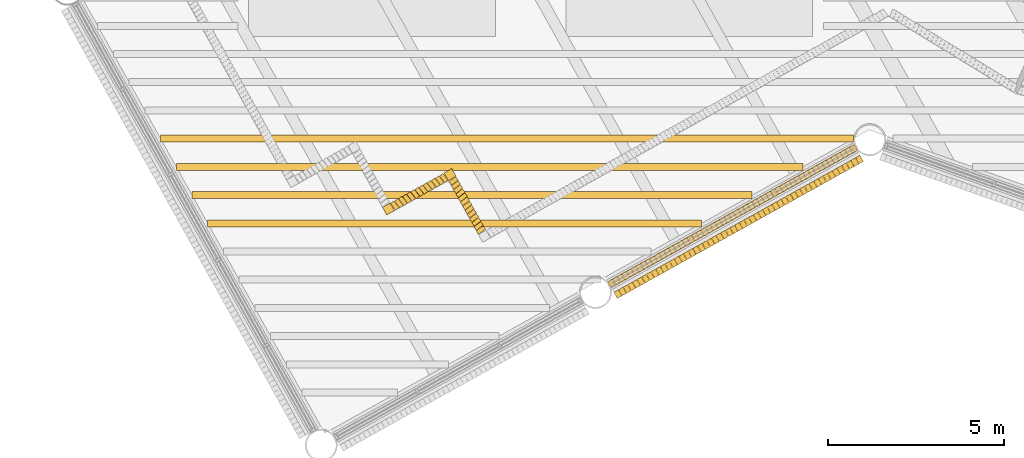
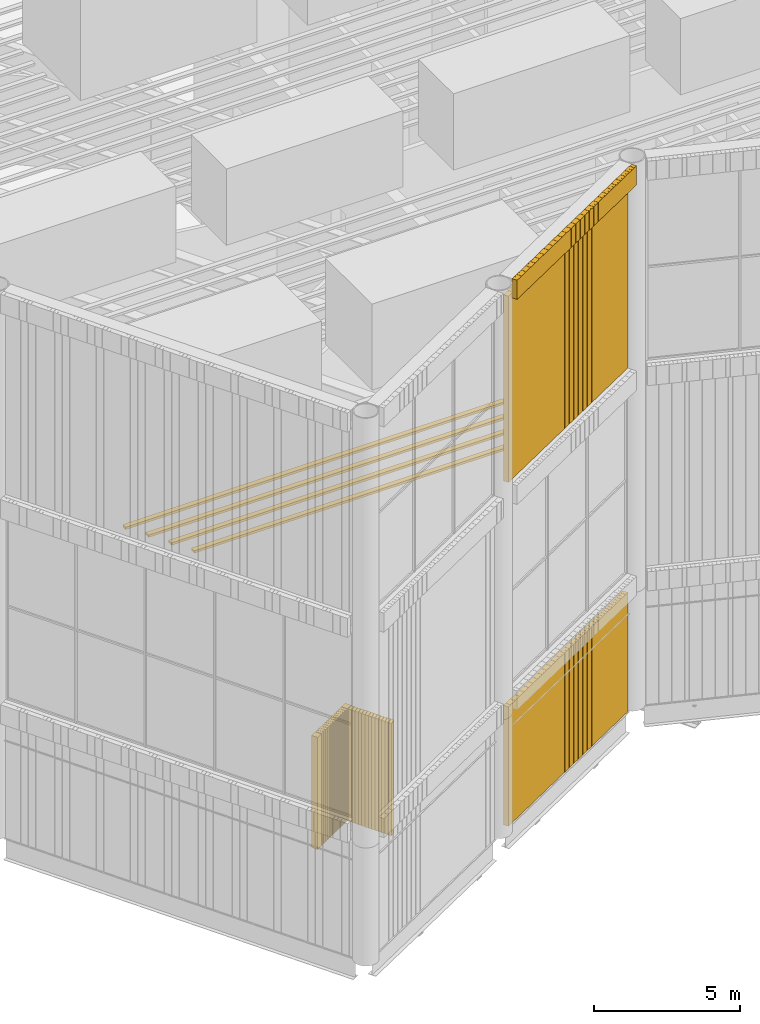
# One storey, part 88 of 117: 8 shading devices, 3 coverings.
"""IFC4 building model written with IfcOpenShell, lengths in metres."""

from ifc_helpers import new_model, si_unit, direction, frame, frame_2d, origin, origin_2d, place, context, subcontext, project, spatial, rectangle, composite_profile, extrude, material, type_object, element, save


model = new_model("IFC4")

# Units and contexts
model_context = context("Model", 3, precision=1e-05, world=origin(), true_north=direction((0.0, 1.0)))
body_context = subcontext(model_context, "Body", "Model", "MODEL_VIEW")
ifc_project = project(units=[si_unit("LENGTHUNIT", "METRE"), si_unit("AREAUNIT", "SQUARE_METRE"), si_unit("VOLUMEUNIT", "CUBIC_METRE"), si_unit("PLANEANGLEUNIT", "RADIAN"), si_unit("MASSUNIT", "GRAM", prefix="KILO")], contexts=[model_context])

# Site, building, storey
site_placement = place(None, origin())
site = spatial("IfcSite", under=ifc_project, at=site_placement, CompositionType="ELEMENT")
building_placement = place(site_placement, origin())
building = spatial("IfcBuilding", under=site, at=building_placement, Name="Tarsis Ring Headquarters", CompositionType="ELEMENT")
storey_placement = place(building_placement, frame((0.0, 0.0, 403.60009765625)))
storey = spatial("IfcBuildingStorey", under=building, at=storey_placement, Name="L95", CompositionType="ELEMENT", Elevation=403.60009765625)

# Coverings
ifc_material_1 = material(Name="Terracotta louvre", Category="masonry")
covering_type = type_object("IfcCoveringType", Name="Crown louvre fin", PredefinedType="CLADDING", material=ifc_material_1)
covering_1_placement = place(storey_placement, frame((-22.01171875, -29.202880859375, 0.0), z_axis=(0.0, 0.0, 1.0), x_axis=(0.873594132029, 0.486644254279, 0.0)))
element("IfcCovering", 1, at=covering_1_placement, inside=storey, type_object=covering_type, Name="Crown louvre base 19", PredefinedType="CLADDING", context=body_context, shape_type="SweptSolid", body=[
    extrude(composite_profile([rectangle(XDim=0.14501953125, YDim=0.199951171875, at=frame_2d((0.072509765625, 0.0))), rectangle(XDim=0.14501953125, YDim=0.199951171875, at=frame_2d((0.223388671875, 0.0))), rectangle(XDim=0.14501953125, YDim=0.199951171875, at=frame_2d((0.374267578125, 0.0))), rectangle(XDim=0.14501953125, YDim=0.199951171875, at=frame_2d((0.52490234375, 0.0))), rectangle(XDim=0.14501953125, YDim=0.199951171875, at=frame_2d((0.67578125, 0.0))), rectangle(XDim=0.14501953125, YDim=0.199951171875, at=frame_2d((0.82666015625, 0.0))), rectangle(XDim=0.14501953125, YDim=0.199951171875, at=frame_2d((0.9775390625, 0.0))), rectangle(XDim=0.14501953125, YDim=0.199951171875, at=frame_2d((1.12841796875, 0.0))), rectangle(XDim=0.14501953125, YDim=0.199951171875, at=frame_2d((1.279052734375, 0.0))), rectangle(XDim=0.14501953125, YDim=0.199951171875, at=frame_2d((1.429931640625, 0.0))), rectangle(XDim=0.14501953125, YDim=0.199951171875, at=frame_2d((1.580810546875, 0.0))), rectangle(XDim=0.14501953125, YDim=0.199951171875, at=frame_2d((1.731689453125, 0.0))), rectangle(XDim=0.14501953125, YDim=0.199951171875, at=frame_2d((1.882568359375, 0.0))), rectangle(XDim=0.14501953125, YDim=0.199951171875, at=frame_2d((2.033203125, 0.0))), rectangle(XDim=0.14501953125, YDim=0.199951171875, at=frame_2d((2.18408203125, 0.0))), rectangle(XDim=0.14501953125, YDim=0.199951171875, at=frame_2d((2.3349609375, 0.0))), rectangle(XDim=0.14501953125, YDim=0.199951171875, at=frame_2d((2.48583984375, 0.0))), rectangle(XDim=0.14501953125, YDim=0.199951171875, at=frame_2d((2.63671875, 0.0))), rectangle(XDim=0.14501953125, YDim=0.199951171875, at=frame_2d((2.78759765625, 0.0))), rectangle(XDim=0.14501953125, YDim=0.199951171875, at=frame_2d((2.938232421875, 0.0))), rectangle(XDim=0.14501953125, YDim=0.199951171875, at=frame_2d((3.089111328125, 0.0))), rectangle(XDim=0.14501953125, YDim=0.199951171875, at=frame_2d((3.239990234375, 0.0))), rectangle(XDim=0.14501953125, YDim=0.199951171875, at=frame_2d((3.390869140625, 0.0))), rectangle(XDim=0.14501953125, YDim=0.199951171875, at=frame_2d((3.541748046875, 0.0))), rectangle(XDim=0.14501953125, YDim=0.199951171875, at=frame_2d((3.6923828125, 0.0))), rectangle(XDim=0.14501953125, YDim=0.199951171875, at=frame_2d((3.84326171875, 0.0))), rectangle(XDim=0.14501953125, YDim=0.199951171875, at=frame_2d((3.994140625, 0.0))), rectangle(XDim=0.14501953125, YDim=0.199951171875, at=frame_2d((4.14501953125, 0.0))), rectangle(XDim=0.14501953125, YDim=0.199951171875, at=frame_2d((4.2958984375, 0.0))), rectangle(XDim=0.14501953125, YDim=0.199951171875, at=frame_2d((4.446533203125, 0.0))), rectangle(XDim=0.14501953125, YDim=0.199951171875, at=frame_2d((4.597412109375, 0.0))), rectangle(XDim=0.14501953125, YDim=0.199951171875, at=frame_2d((4.748291015625, 0.0))), rectangle(XDim=0.14501953125, YDim=0.199951171875, at=frame_2d((4.899169921875, 0.0))), rectangle(XDim=0.14501953125, YDim=0.199951171875, at=frame_2d((5.050048828125, 0.0))), rectangle(XDim=0.14501953125, YDim=0.199951171875, at=frame_2d((5.20068359375, 0.0))), rectangle(XDim=0.14501953125, YDim=0.199951171875, at=frame_2d((5.3515625, 0.0))), rectangle(XDim=0.14501953125, YDim=0.199951171875, at=frame_2d((5.50244140625, 0.0))), rectangle(XDim=0.14501953125, YDim=0.199951171875, at=frame_2d((5.6533203125, 0.0))), rectangle(XDim=0.14501953125, YDim=0.199951171875, at=frame_2d((5.80419921875, 0.0))), rectangle(XDim=0.14501953125, YDim=0.199951171875, at=frame_2d((5.955078125, 0.0))), rectangle(XDim=0.14501953125, YDim=0.199951171875, at=frame_2d((6.105712890625, 0.0))), rectangle(XDim=0.14501953125, YDim=0.199951171875, at=frame_2d((6.256591796875, 0.0))), rectangle(XDim=0.14501953125, YDim=0.199951171875, at=frame_2d((6.407470703125, 0.0))), rectangle(XDim=0.14501953125, YDim=0.199951171875, at=frame_2d((6.558349609375, 0.0))), rectangle(XDim=0.14501953125, YDim=0.199951171875, at=frame_2d((6.709228515625, 0.0))), rectangle(XDim=0.14501953125, YDim=0.199951171875, at=frame_2d((6.85986328125, 0.0))), rectangle(XDim=0.14501953125, YDim=0.199951171875, at=frame_2d((7.0107421875, 0.0))), rectangle(XDim=0.14501953125, YDim=0.199951171875, at=frame_2d((7.16162109375, 0.0))), rectangle(XDim=0.14501953125, YDim=0.199951171875, at=frame_2d((7.3125, 0.0))), rectangle(XDim=0.14501953125, YDim=0.199951171875, at=frame_2d((7.46337890625, 0.0))), rectangle(XDim=0.14501953125, YDim=0.199951171875, at=frame_2d((7.614013671875, 0.0))), rectangle(XDim=0.14501953125, YDim=0.199951171875, at=frame_2d((7.764892578125, 0.0))), rectangle(XDim=0.14501953125, YDim=0.199951171875, at=frame_2d((7.915771484375, 0.0)))]), origin(), (0.0, 0.0, 1.0), 5.0),
])
covering_2_placement = place(storey_placement, frame((-21.84130859375, -29.5087890625, 22.199951171875), z_axis=(0.0, 0.0, 1.0), x_axis=(0.873594132029, 0.486644254279, 0.0)))
element("IfcCovering", 2, at=covering_2_placement, inside=storey, type_object=covering_type, Name="Crown louvre fascia T19", PredefinedType="CLADDING", context=body_context, shape_type="SweptSolid", body=[
    extrude(composite_profile([rectangle(XDim=0.14501953125, YDim=0.199951171875, at=frame_2d((0.072509765625, 0.0))), rectangle(XDim=0.14501953125, YDim=0.199951171875, at=frame_2d((0.223388671875, 0.0))), rectangle(XDim=0.14501953125, YDim=0.199951171875, at=frame_2d((0.374267578125, 0.0))), rectangle(XDim=0.14501953125, YDim=0.199951171875, at=frame_2d((0.52490234375, 0.0))), rectangle(XDim=0.14501953125, YDim=0.199951171875, at=frame_2d((0.67578125, 0.0))), rectangle(XDim=0.14501953125, YDim=0.199951171875, at=frame_2d((0.82666015625, 0.0))), rectangle(XDim=0.14501953125, YDim=0.199951171875, at=frame_2d((0.9775390625, 0.0))), rectangle(XDim=0.14501953125, YDim=0.199951171875, at=frame_2d((1.12841796875, 0.0))), rectangle(XDim=0.14501953125, YDim=0.199951171875, at=frame_2d((1.279052734375, 0.0))), rectangle(XDim=0.14501953125, YDim=0.199951171875, at=frame_2d((1.429931640625, 0.0))), rectangle(XDim=0.14501953125, YDim=0.199951171875, at=frame_2d((1.580810546875, 0.0))), rectangle(XDim=0.14501953125, YDim=0.199951171875, at=frame_2d((1.731689453125, 0.0))), rectangle(XDim=0.14501953125, YDim=0.199951171875, at=frame_2d((1.882568359375, 0.0))), rectangle(XDim=0.14501953125, YDim=0.199951171875, at=frame_2d((2.033203125, 0.0))), rectangle(XDim=0.14501953125, YDim=0.199951171875, at=frame_2d((2.18408203125, 0.0))), rectangle(XDim=0.14501953125, YDim=0.199951171875, at=frame_2d((2.3349609375, 0.0))), rectangle(XDim=0.14501953125, YDim=0.199951171875, at=frame_2d((2.48583984375, 0.0))), rectangle(XDim=0.14501953125, YDim=0.199951171875, at=frame_2d((2.63671875, 0.0))), rectangle(XDim=0.14501953125, YDim=0.199951171875, at=frame_2d((2.78759765625, 0.0))), rectangle(XDim=0.14501953125, YDim=0.199951171875, at=frame_2d((2.938232421875, 0.0))), rectangle(XDim=0.14501953125, YDim=0.199951171875, at=frame_2d((3.089111328125, 0.0))), rectangle(XDim=0.14501953125, YDim=0.199951171875, at=frame_2d((3.239990234375, 0.0))), rectangle(XDim=0.14501953125, YDim=0.199951171875, at=frame_2d((3.390869140625, 0.0))), rectangle(XDim=0.14501953125, YDim=0.199951171875, at=frame_2d((3.541748046875, 0.0))), rectangle(XDim=0.14501953125, YDim=0.199951171875, at=frame_2d((3.6923828125, 0.0))), rectangle(XDim=0.14501953125, YDim=0.199951171875, at=frame_2d((3.84326171875, 0.0))), rectangle(XDim=0.14501953125, YDim=0.199951171875, at=frame_2d((3.994140625, 0.0))), rectangle(XDim=0.14501953125, YDim=0.199951171875, at=frame_2d((4.14501953125, 0.0))), rectangle(XDim=0.14501953125, YDim=0.199951171875, at=frame_2d((4.2958984375, 0.0))), rectangle(XDim=0.14501953125, YDim=0.199951171875, at=frame_2d((4.446533203125, 0.0))), rectangle(XDim=0.14501953125, YDim=0.199951171875, at=frame_2d((4.597412109375, 0.0))), rectangle(XDim=0.14501953125, YDim=0.199951171875, at=frame_2d((4.748291015625, 0.0))), rectangle(XDim=0.14501953125, YDim=0.199951171875, at=frame_2d((4.899169921875, 0.0))), rectangle(XDim=0.14501953125, YDim=0.199951171875, at=frame_2d((5.050048828125, 0.0))), rectangle(XDim=0.14501953125, YDim=0.199951171875, at=frame_2d((5.20068359375, 0.0))), rectangle(XDim=0.14501953125, YDim=0.199951171875, at=frame_2d((5.3515625, 0.0))), rectangle(XDim=0.14501953125, YDim=0.199951171875, at=frame_2d((5.50244140625, 0.0))), rectangle(XDim=0.14501953125, YDim=0.199951171875, at=frame_2d((5.6533203125, 0.0))), rectangle(XDim=0.14501953125, YDim=0.199951171875, at=frame_2d((5.80419921875, 0.0))), rectangle(XDim=0.14501953125, YDim=0.199951171875, at=frame_2d((5.955078125, 0.0))), rectangle(XDim=0.14501953125, YDim=0.199951171875, at=frame_2d((6.105712890625, 0.0))), rectangle(XDim=0.14501953125, YDim=0.199951171875, at=frame_2d((6.256591796875, 0.0))), rectangle(XDim=0.14501953125, YDim=0.199951171875, at=frame_2d((6.407470703125, 0.0))), rectangle(XDim=0.14501953125, YDim=0.199951171875, at=frame_2d((6.558349609375, 0.0))), rectangle(XDim=0.14501953125, YDim=0.199951171875, at=frame_2d((6.709228515625, 0.0))), rectangle(XDim=0.14501953125, YDim=0.199951171875, at=frame_2d((6.85986328125, 0.0))), rectangle(XDim=0.14501953125, YDim=0.199951171875, at=frame_2d((7.0107421875, 0.0))), rectangle(XDim=0.14501953125, YDim=0.199951171875, at=frame_2d((7.16162109375, 0.0))), rectangle(XDim=0.14501953125, YDim=0.199951171875, at=frame_2d((7.3125, 0.0))), rectangle(XDim=0.14501953125, YDim=0.199951171875, at=frame_2d((7.46337890625, 0.0))), rectangle(XDim=0.14501953125, YDim=0.199951171875, at=frame_2d((7.614013671875, 0.0))), rectangle(XDim=0.14501953125, YDim=0.199951171875, at=frame_2d((7.764892578125, 0.0))), rectangle(XDim=0.14501953125, YDim=0.199951171875, at=frame_2d((7.915771484375, 0.0)))]), origin(), (0.0, 0.0, 1.0), 0.800048828125),
])
covering_3_placement = place(storey_placement, frame((-22.01171875, -29.202880859375, 14.39990234375), z_axis=(0.0, 0.0, 1.0), x_axis=(0.873594132029, 0.486644254279, 0.0)))
element("IfcCovering", 3, at=covering_3_placement, inside=storey, type_object=covering_type, Name="Crown louvre U19", PredefinedType="CLADDING", context=body_context, shape_type="SweptSolid", body=[
    extrude(composite_profile([rectangle(XDim=0.14501953125, YDim=0.199951171875, at=frame_2d((0.072509765625, 0.0))), rectangle(XDim=0.14501953125, YDim=0.199951171875, at=frame_2d((0.223388671875, 0.0))), rectangle(XDim=0.14501953125, YDim=0.199951171875, at=frame_2d((0.374267578125, 0.0))), rectangle(XDim=0.14501953125, YDim=0.199951171875, at=frame_2d((0.52490234375, 0.0))), rectangle(XDim=0.14501953125, YDim=0.199951171875, at=frame_2d((0.67578125, 0.0))), rectangle(XDim=0.14501953125, YDim=0.199951171875, at=frame_2d((0.82666015625, 0.0))), rectangle(XDim=0.14501953125, YDim=0.199951171875, at=frame_2d((0.9775390625, 0.0))), rectangle(XDim=0.14501953125, YDim=0.199951171875, at=frame_2d((1.12841796875, 0.0))), rectangle(XDim=0.14501953125, YDim=0.199951171875, at=frame_2d((1.279052734375, 0.0))), rectangle(XDim=0.14501953125, YDim=0.199951171875, at=frame_2d((1.429931640625, 0.0))), rectangle(XDim=0.14501953125, YDim=0.199951171875, at=frame_2d((1.580810546875, 0.0))), rectangle(XDim=0.14501953125, YDim=0.199951171875, at=frame_2d((1.731689453125, 0.0))), rectangle(XDim=0.14501953125, YDim=0.199951171875, at=frame_2d((1.882568359375, 0.0))), rectangle(XDim=0.14501953125, YDim=0.199951171875, at=frame_2d((2.033203125, 0.0))), rectangle(XDim=0.14501953125, YDim=0.199951171875, at=frame_2d((2.18408203125, 0.0))), rectangle(XDim=0.14501953125, YDim=0.199951171875, at=frame_2d((2.3349609375, 0.0))), rectangle(XDim=0.14501953125, YDim=0.199951171875, at=frame_2d((2.48583984375, 0.0))), rectangle(XDim=0.14501953125, YDim=0.199951171875, at=frame_2d((2.63671875, 0.0))), rectangle(XDim=0.14501953125, YDim=0.199951171875, at=frame_2d((2.78759765625, 0.0))), rectangle(XDim=0.14501953125, YDim=0.199951171875, at=frame_2d((2.938232421875, 0.0))), rectangle(XDim=0.14501953125, YDim=0.199951171875, at=frame_2d((3.089111328125, 0.0))), rectangle(XDim=0.14501953125, YDim=0.199951171875, at=frame_2d((3.239990234375, 0.0))), rectangle(XDim=0.14501953125, YDim=0.199951171875, at=frame_2d((3.390869140625, 0.0))), rectangle(XDim=0.14501953125, YDim=0.199951171875, at=frame_2d((3.541748046875, 0.0))), rectangle(XDim=0.14501953125, YDim=0.199951171875, at=frame_2d((3.6923828125, 0.0))), rectangle(XDim=0.14501953125, YDim=0.199951171875, at=frame_2d((3.84326171875, 0.0))), rectangle(XDim=0.14501953125, YDim=0.199951171875, at=frame_2d((3.994140625, 0.0))), rectangle(XDim=0.14501953125, YDim=0.199951171875, at=frame_2d((4.14501953125, 0.0))), rectangle(XDim=0.14501953125, YDim=0.199951171875, at=frame_2d((4.2958984375, 0.0))), rectangle(XDim=0.14501953125, YDim=0.199951171875, at=frame_2d((4.446533203125, 0.0))), rectangle(XDim=0.14501953125, YDim=0.199951171875, at=frame_2d((4.597412109375, 0.0))), rectangle(XDim=0.14501953125, YDim=0.199951171875, at=frame_2d((4.748291015625, 0.0))), rectangle(XDim=0.14501953125, YDim=0.199951171875, at=frame_2d((4.899169921875, 0.0))), rectangle(XDim=0.14501953125, YDim=0.199951171875, at=frame_2d((5.050048828125, 0.0))), rectangle(XDim=0.14501953125, YDim=0.199951171875, at=frame_2d((5.20068359375, 0.0))), rectangle(XDim=0.14501953125, YDim=0.199951171875, at=frame_2d((5.3515625, 0.0))), rectangle(XDim=0.14501953125, YDim=0.199951171875, at=frame_2d((5.50244140625, 0.0))), rectangle(XDim=0.14501953125, YDim=0.199951171875, at=frame_2d((5.6533203125, 0.0))), rectangle(XDim=0.14501953125, YDim=0.199951171875, at=frame_2d((5.80419921875, 0.0))), rectangle(XDim=0.14501953125, YDim=0.199951171875, at=frame_2d((5.955078125, 0.0))), rectangle(XDim=0.14501953125, YDim=0.199951171875, at=frame_2d((6.105712890625, 0.0))), rectangle(XDim=0.14501953125, YDim=0.199951171875, at=frame_2d((6.256591796875, 0.0))), rectangle(XDim=0.14501953125, YDim=0.199951171875, at=frame_2d((6.407470703125, 0.0))), rectangle(XDim=0.14501953125, YDim=0.199951171875, at=frame_2d((6.558349609375, 0.0))), rectangle(XDim=0.14501953125, YDim=0.199951171875, at=frame_2d((6.709228515625, 0.0))), rectangle(XDim=0.14501953125, YDim=0.199951171875, at=frame_2d((6.85986328125, 0.0))), rectangle(XDim=0.14501953125, YDim=0.199951171875, at=frame_2d((7.0107421875, 0.0))), rectangle(XDim=0.14501953125, YDim=0.199951171875, at=frame_2d((7.16162109375, 0.0))), rectangle(XDim=0.14501953125, YDim=0.199951171875, at=frame_2d((7.3125, 0.0))), rectangle(XDim=0.14501953125, YDim=0.199951171875, at=frame_2d((7.46337890625, 0.0))), rectangle(XDim=0.14501953125, YDim=0.199951171875, at=frame_2d((7.614013671875, 0.0))), rectangle(XDim=0.14501953125, YDim=0.199951171875, at=frame_2d((7.764892578125, 0.0))), rectangle(XDim=0.14501953125, YDim=0.199951171875, at=frame_2d((7.915771484375, 0.0)))]), origin(), (0.0, 0.0, 1.0), 7.800048828125),
])

# Shading devices
ifc_material_2 = material(Name="Aluminium louvre", Category="aluminium")
shading_device_type_1 = type_object("IfcShadingDeviceType", Name="Crown roof louvre blade", PredefinedType="USERDEFINED", material=ifc_material_2)
shading_device_1_placement = place(storey_placement, frame((-26.40576171875, -27.464111328125, 14.39990234375), z_axis=(0.0, 0.0, 1.0), x_axis=(1.0, 0.0, 0.0)))
element("IfcShadingDevice", 4, at=shading_device_1_placement, inside=storey, type_object=shading_device_type_1, Name="Crown roof louvre 16", ObjectType="Crown roof louvre", PredefinedType="USERDEFINED", context=body_context, shape_type="SweptSolid", body=[
    extrude(rectangle(XDim=14.00341796875, YDim=0.199951171875, at=origin_2d()), origin(), (0.0, 0.0, 1.0), 0.10009765625),
])
shading_device_2_placement = place(storey_placement, frame((-25.910400390625, -26.664306640625, 14.39990234375), z_axis=(0.0, 0.0, 1.0), x_axis=(1.0, 0.0, 0.0)))
element("IfcShadingDevice", 5, at=shading_device_2_placement, inside=storey, type_object=shading_device_type_1, Name="Crown roof louvre 18", ObjectType="Crown roof louvre", PredefinedType="USERDEFINED", context=body_context, shape_type="SweptSolid", body=[
    extrude(rectangle(XDim=15.88525390625, YDim=0.199951171875, at=origin_2d()), origin(), (0.0, 0.0, 1.0), 0.10009765625),
])
shading_device_3_placement = place(storey_placement, frame((-25.415283203125, -25.8642578125, 14.39990234375), z_axis=(0.0, 0.0, 1.0), x_axis=(1.0, 0.0, 0.0)))
element("IfcShadingDevice", 6, at=shading_device_3_placement, inside=storey, type_object=shading_device_type_1, Name="Crown roof louvre 20", ObjectType="Crown roof louvre", PredefinedType="USERDEFINED", context=body_context, shape_type="SweptSolid", body=[
    extrude(rectangle(XDim=17.766845703125, YDim=0.199951171875, at=origin_2d()), origin(), (0.0, 0.0, 1.0), 0.10009765625),
])
shading_device_4_placement = place(storey_placement, frame((-24.919921875, -25.064208984375, 14.39990234375), z_axis=(0.0, 0.0, 1.0), x_axis=(1.0, 0.0, 0.0)))
element("IfcShadingDevice", 7, at=shading_device_4_placement, inside=storey, type_object=shading_device_type_1, Name="Crown roof louvre 22", ObjectType="Crown roof louvre", PredefinedType="USERDEFINED", context=body_context, shape_type="SweptSolid", body=[
    extrude(rectangle(XDim=19.648681640625, YDim=0.199951171875, at=origin_2d()), origin(), (0.0, 0.0, 1.0), 0.10009765625),
])
shading_device_type_2 = type_object("IfcShadingDeviceType", Name="Plant louvre fin", PredefinedType="USERDEFINED", material=ifc_material_2)
for number, where, z_axis, x_axis, name in (
    (8, (-28.1728515625, -26.99755859375, 0.0), (0.0, 0.0, 1.0), (0.873604910714, 0.486607142857, 0.0), "Louvre L95-39"),
    (9, (-26.47412109375, -26.1943359375, 0.0), (0.0, 0.0, 1.0), (0.486607142857, -0.873604910714, 0.0), "Louvre L95-40"),
):
    element("IfcShadingDevice", number, at=place(storey_placement, frame(where, z_axis=z_axis, x_axis=x_axis)), inside=storey, type_object=shading_device_type_2, Name=name, ObjectType="Louvre", PredefinedType="USERDEFINED", context=body_context, shape_type="SweptSolid", body=[
        extrude(composite_profile([rectangle(XDim=0.1201171875, YDim=0.239990234375, at=frame_2d((0.078125, 0.0), x_axis=(0.987688340595, 0.15643446504))), rectangle(XDim=0.1201171875, YDim=0.239990234375, at=frame_2d((0.2109375, 0.0), x_axis=(0.987688340595, 0.15643446504))), rectangle(XDim=0.1201171875, YDim=0.239990234375, at=frame_2d((0.34375, 0.0), x_axis=(0.987688340595, 0.15643446504))), rectangle(XDim=0.1201171875, YDim=0.239990234375, at=frame_2d((0.4765625, 0.0), x_axis=(0.987688340595, 0.15643446504))), rectangle(XDim=0.1201171875, YDim=0.239990234375, at=frame_2d((0.609375, 0.0), x_axis=(0.987688340595, 0.15643446504))), rectangle(XDim=0.1201171875, YDim=0.239990234375, at=frame_2d((0.7421875, 0.0), x_axis=(0.987688340595, 0.15643446504))), rectangle(XDim=0.1201171875, YDim=0.239990234375, at=frame_2d((0.875, 0.0), x_axis=(0.987688340595, 0.15643446504))), rectangle(XDim=0.1201171875, YDim=0.239990234375, at=frame_2d((1.0078125, 0.0), x_axis=(0.987688340595, 0.15643446504))), rectangle(XDim=0.1201171875, YDim=0.239990234375, at=frame_2d((1.140625, 0.0), x_axis=(0.987688340595, 0.15643446504))), rectangle(XDim=0.1201171875, YDim=0.239990234375, at=frame_2d((1.2734375, 0.0), x_axis=(0.987688340595, 0.15643446504))), rectangle(XDim=0.1201171875, YDim=0.239990234375, at=frame_2d((1.40625, 0.0), x_axis=(0.987688340595, 0.15643446504))), rectangle(XDim=0.1201171875, YDim=0.239990234375, at=frame_2d((1.5390625, 0.0), x_axis=(0.987688340595, 0.15643446504))), rectangle(XDim=0.1201171875, YDim=0.239990234375, at=frame_2d((1.671875, 0.0), x_axis=(0.987688340595, 0.15643446504)))]), origin(), (0.0, 0.0, 1.0), 4.699951171875),
    ])
ifc_material_3 = material(Name="Terracotta baguette", Category="masonry")
shading_device_type_3 = type_object("IfcShadingDeviceType", Name="Terracotta corner baguette 250x250", PredefinedType="USERDEFINED", material=ifc_material_3)
for number, where, z_axis, x_axis, name in (
    (10, (-28.2822265625, -27.058349609375, 0.0), (0.0, 0.0, 1.0), (0.486640431068, -0.873602364265, 0.0), "Corner baguette L95-39"),
    (11, (-26.534912109375, -26.0849609375, 0.0), (0.0, 0.0, 1.0), (0.873602364265, 0.486640431068, 0.0), "Corner baguette L95-40"),
):
    element("IfcShadingDevice", number, at=place(storey_placement, frame(where, z_axis=z_axis, x_axis=x_axis)), inside=storey, type_object=shading_device_type_3, Name=name, ObjectType="Terracotta corner baguette", PredefinedType="USERDEFINED", context=body_context, shape_type="SweptSolid", body=[
        extrude(rectangle(XDim=0.25, YDim=0.25, at=origin_2d()), origin(), (0.0, 0.0, 1.0), 4.699951171875),
    ])

save(model, "model.ifc")
